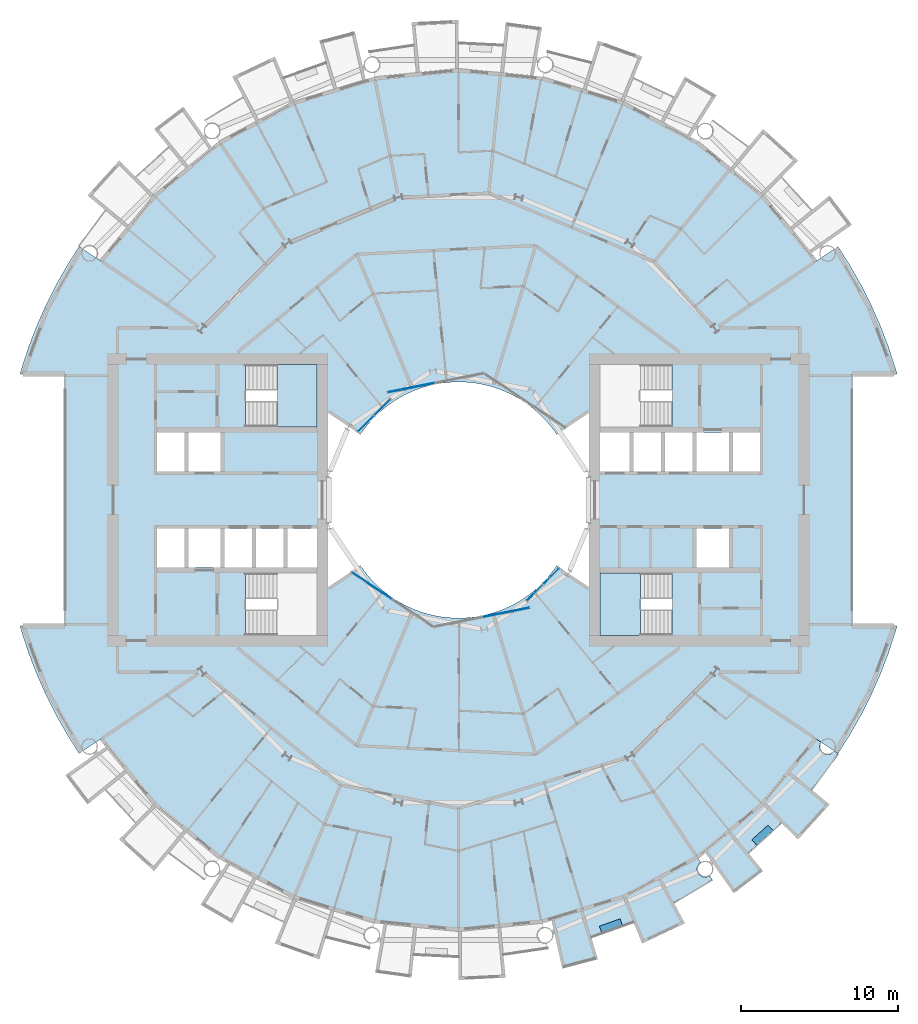
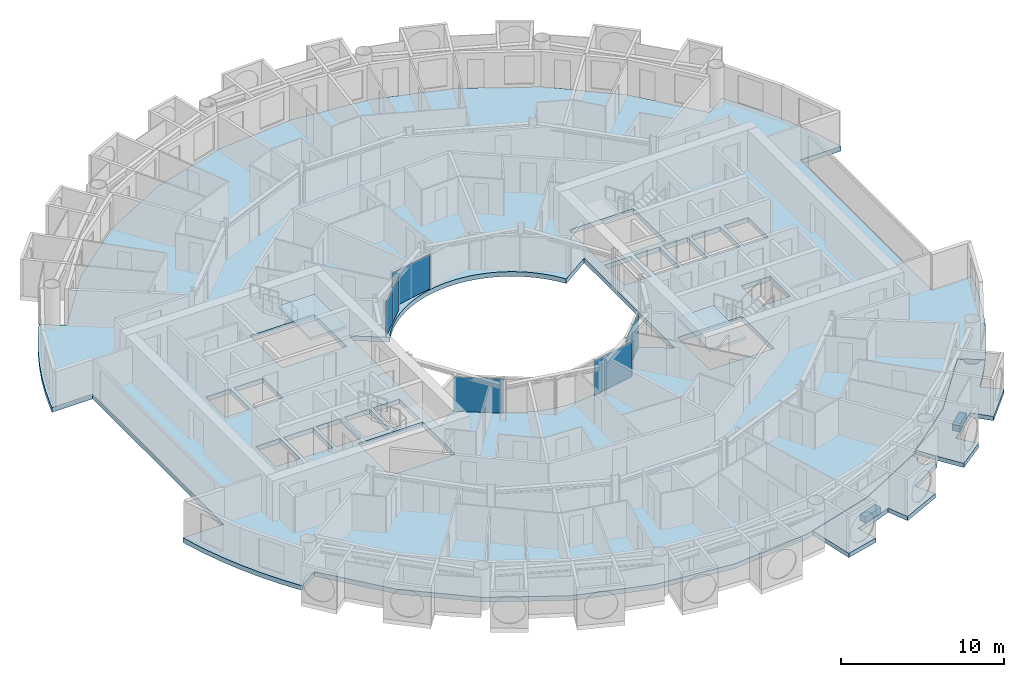
# One storey, part 10 of 26: 7 plates, 7 slabs, 7 elements without a shape of their own.
"""IFC4 building model written with IfcOpenShell, lengths in metres."""

from ifc_helpers import new_model, si_unit, direction, frame, origin, origin_2d, place, context, subcontext, project, spatial, polyline, rectangle, outline, extrude, material, layer, layer_set, type_object, element, aggregate, save


model = new_model("IFC4")

# Units and contexts
model_context = context("Model", 3, precision=1e-05, world=origin(), true_north=direction((0.0, 1.0)))
body_context = subcontext(model_context, "Body", "Model", "MODEL_VIEW")
ifc_project = project(units=[si_unit("LENGTHUNIT", "METRE"), si_unit("AREAUNIT", "SQUARE_METRE"), si_unit("VOLUMEUNIT", "CUBIC_METRE"), si_unit("PLANEANGLEUNIT", "RADIAN"), si_unit("MASSUNIT", "GRAM", prefix="KILO")], contexts=[model_context])

# Site, building, storey
site_placement = place(None, origin())
site = spatial("IfcSite", under=ifc_project, at=site_placement, CompositionType="ELEMENT")
building_placement = place(site_placement, origin())
building = spatial("IfcBuilding", under=site, at=building_placement, Name="Maasbend Ring Residences", CompositionType="ELEMENT")
storey_placement = place(building_placement, frame((0.0, 0.0, 72.75)))
storey = spatial("IfcBuildingStorey", under=building, at=storey_placement, Name="L20", CompositionType="ELEMENT", Elevation=72.75)

# Stair, slab
ifc_material_1 = material(Name="Concrete C40/50", Category="concrete")
stair_type = type_object("IfcStairType", Name="CORE STAIR 18 RISERS", PredefinedType="HALF_TURN_STAIR", material=ifc_material_1)
stair_1_placement = place(storey_placement, origin())
stair_1 = element("IfcStair", 1, at=stair_1_placement, inside=storey, type_object=stair_type, Name="L20 Exit stair ST-E2", PredefinedType="HALF_TURN_STAIR")
ifc_material_2 = material(Name="Concrete C40/50", Category="concrete")
ifc_layer_1 = layer(ifc_material_2, 0.199951171875)
ifc_layer_set_1 = layer_set([ifc_layer_1], Name="Concrete C40/50")
slab_type_1 = type_object("IfcSlabType", Name="CORE STAIR LANDING 200", PredefinedType="LANDING", material=ifc_layer_set_1)
slab_1_placement = place(storey_placement, frame((0.0, 0.0, 1.324951171875)))
slab_1 = element("IfcSlab", 2, at=slab_1_placement, type_object=slab_type_1, Name="ST-E2 landing 1", PredefinedType="LANDING", context=body_context, shape_type="SweptSolid", body=[
    extrude(outline(polyline([(11.550048828125, -4.64990234375), (9.0, -4.64990234375), (9.0, -8.60009765625), (11.550048828125, -8.60009765625), (11.550048828125, -4.64990234375)])), origin(), (0.0, 0.0, 1.0), 0.199951171875),
])
aggregate(stair_1, [slab_1])

stair_2_placement = place(storey_placement, origin())
stair_2 = element("IfcStair", 3, at=stair_2_placement, inside=storey, type_object=stair_type, Name="L20 Exit stair ST-W2", PredefinedType="HALF_TURN_STAIR")
slab_2_placement = place(storey_placement, frame((0.0, 0.0, 1.324951171875)))
slab_2 = element("IfcSlab", 4, at=slab_2_placement, type_object=slab_type_1, Name="ST-W2 landing 1", PredefinedType="LANDING", context=body_context, shape_type="SweptSolid", body=[
    extrude(outline(polyline([(-11.550048828125, 4.64990234375), (-9.0, 4.64990234375), (-9.0, 8.60009765625), (-11.550048828125, 8.60009765625), (-11.550048828125, 4.64990234375)])), origin(), (0.0, 0.0, 1.0), 0.199951171875),
])
aggregate(stair_2, [slab_2])

# Curtain wall, plate
ifc_material_3 = material(Name="Aluminium and clear glass", Category="aluminium")
ifc_layer_2 = layer(ifc_material_3, 0.179931640625)
ifc_layer_set_2 = layer_set([ifc_layer_2], Name="CW-W")
curtain_wall_type = type_object("IfcCurtainWallType", Name="CW-W", PredefinedType="NOTDEFINED", material=ifc_layer_set_2)
curtain_wall_1_placement = place(storey_placement, origin())
curtain_wall_1 = element("IfcCurtainWall", 5, at=curtain_wall_1_placement, inside=storey, type_object=curtain_wall_type, Name="Well curtain wall N2", PredefinedType="NOTDEFINED")
ifc_material_4 = material(Name="Glass clear laminated", Category="glass")
ifc_layer_3 = layer(ifc_material_4, 0.031982421875)
ifc_layer_set_3 = layer_set([ifc_layer_3], Name="CWP-W")
plate_type = type_object("IfcPlateType", Name="CWP-W", PredefinedType="CURTAIN_PANEL", material=ifc_layer_set_3)
plate_1_placement = place(storey_placement, frame((-3.0078125, 7.140380859375, 0.0), z_axis=(0.0, 0.0, 1.0), x_axis=(-0.980785280403, -0.195090322016, 0.0)))
plate_1 = element("IfcPlate", 6, at=plate_1_placement, type_object=plate_type, Name="Glass panel well face", PredefinedType="CURTAIN_PANEL", context=body_context, shape_type="SweptSolid", body=[
    extrude(rectangle(XDim=3.053955078125, YDim=0.031982421875, at=origin_2d()), origin(), (0.0, 0.0, 1.0), 2.580078125),
])
aggregate(curtain_wall_1, [plate_1])

# Curtain wall, plates
curtain_wall_2_placement = place(storey_placement, origin())
curtain_wall_2 = element("IfcCurtainWall", 7, at=curtain_wall_2_placement, inside=storey, type_object=curtain_wall_type, Name="Well curtain wall N3", PredefinedType="NOTDEFINED")
plate_2_placement = place(storey_placement, frame((-4.84375, 5.89013671875, 0.0), z_axis=(0.0, 0.0, 1.0), x_axis=(-0.707106781187, -0.707106781187, 0.0)))
plate_2 = element("IfcPlate", 8, at=plate_2_placement, type_object=plate_type, Name="Glass panel well face", PredefinedType="CURTAIN_PANEL", context=body_context, shape_type="SweptSolid", body=[
    extrude(rectangle(XDim=1.419677734375, YDim=0.031982421875, at=origin_2d()), origin(), (0.0, 0.0, 1.0), 2.580078125),
])
plate_3_placement = place(storey_placement, frame((-5.89013671875, 4.84375, 0.0), z_axis=(0.0, 0.0, 1.0), x_axis=(-0.707106781187, -0.707106781187, 0.0)))
plate_3 = element("IfcPlate", 9, at=plate_3_placement, type_object=plate_type, Name="Glass panel well face", PredefinedType="CURTAIN_PANEL", context=body_context, shape_type="SweptSolid", body=[
    extrude(rectangle(XDim=1.419677734375, YDim=0.031982421875, at=origin_2d()), origin(), (0.0, 0.0, 1.0), 2.580078125),
])
aggregate(curtain_wall_2, [plate_2, plate_3])

# Curtain wall, plate
curtain_wall_3_placement = place(storey_placement, origin())
curtain_wall_3 = element("IfcCurtainWall", 10, at=curtain_wall_3_placement, inside=storey, type_object=curtain_wall_type, Name="Well curtain wall S1", PredefinedType="NOTDEFINED")
plate_4_placement = place(storey_placement, frame((-5.51123046875, -5.44580078125, 0.0), z_axis=(0.0, 0.0, 1.0), x_axis=(0.831469612303, -0.55557023302, 0.0)))
plate_4 = element("IfcPlate", 11, at=plate_4_placement, type_object=plate_type, Name="Glass panel well face", PredefinedType="CURTAIN_PANEL", context=body_context, shape_type="SweptSolid", body=[
    extrude(rectangle(XDim=3.053955078125, YDim=0.031982421875, at=origin_2d()), origin(), (0.0, 0.0, 1.0), 2.580078125),
])
aggregate(curtain_wall_3, [plate_4])

curtain_wall_4_placement = place(storey_placement, origin())
curtain_wall_4 = element("IfcCurtainWall", 12, at=curtain_wall_4_placement, inside=storey, type_object=curtain_wall_type, Name="Well curtain wall S2", PredefinedType="NOTDEFINED")
plate_5_placement = place(storey_placement, frame((3.0078125, -7.140380859375, 0.0), z_axis=(0.0, 0.0, 1.0), x_axis=(0.980785280403, 0.195090322016, 0.0)))
plate_5 = element("IfcPlate", 13, at=plate_5_placement, type_object=plate_type, Name="Glass panel well face", PredefinedType="CURTAIN_PANEL", context=body_context, shape_type="SweptSolid", body=[
    extrude(rectangle(XDim=3.053955078125, YDim=0.031982421875, at=origin_2d()), origin(), (0.0, 0.0, 1.0), 2.580078125),
])
aggregate(curtain_wall_4, [plate_5])

# Curtain wall, plates
curtain_wall_5_placement = place(storey_placement, origin())
curtain_wall_5 = element("IfcCurtainWall", 14, at=curtain_wall_5_placement, inside=storey, type_object=curtain_wall_type, Name="Well curtain wall S3", PredefinedType="NOTDEFINED")
plate_6_placement = place(storey_placement, frame((4.84375, -5.89013671875, 0.0), z_axis=(0.0, 0.0, 1.0), x_axis=(0.707106781187, 0.707106781187, 0.0)))
plate_6 = element("IfcPlate", 15, at=plate_6_placement, type_object=plate_type, Name="Glass panel well face", PredefinedType="CURTAIN_PANEL", context=body_context, shape_type="SweptSolid", body=[
    extrude(rectangle(XDim=1.419677734375, YDim=0.031982421875, at=origin_2d()), origin(), (0.0, 0.0, 1.0), 2.580078125),
])
plate_7_placement = place(storey_placement, frame((5.89013671875, -4.84375, 0.0), z_axis=(0.0, 0.0, 1.0), x_axis=(0.707106781187, 0.707106781187, 0.0)))
plate_7 = element("IfcPlate", 16, at=plate_7_placement, type_object=plate_type, Name="Glass panel well face", PredefinedType="CURTAIN_PANEL", context=body_context, shape_type="SweptSolid", body=[
    extrude(rectangle(XDim=1.419677734375, YDim=0.031982421875, at=origin_2d()), origin(), (0.0, 0.0, 1.0), 2.580078125),
])
aggregate(curtain_wall_5, [plate_6, plate_7])

# Slabs
ifc_material_5 = material(Name="Planting with climbing greenery")
ifc_layer_4 = layer(ifc_material_5, 0.449951171875)
ifc_layer_set_4 = layer_set([ifc_layer_4], Name="PLANTER-LG")
slab_type_2 = type_object("IfcSlabType", Name="PLANTER-LG", PredefinedType="USERDEFINED", material=ifc_layer_set_4)
slab_3_placement = place(storey_placement, frame((0.0, 0.0, -0.030029296875)))
element("IfcSlab", 17, at=slab_3_placement, inside=storey, type_object=slab_type_2, Name="Planter with climbing greenery 4", ObjectType="PLANTER", PredefinedType="USERDEFINED", context=body_context, shape_type="SweptSolid", body=[
    extrude(outline(polyline([(9.09912109375, -27.508056640625), (10.4169921875, -27.035888671875), (10.26611328125, -26.612060546875), (8.947021484375, -27.083984375), (9.09912109375, -27.508056640625)])), origin(), (0.0, 0.0, 1.0), 0.449951171875),
])
slab_4_placement = place(storey_placement, frame((0.0, 0.0, -0.030029296875)))
element("IfcSlab", 18, at=slab_4_placement, inside=storey, type_object=slab_type_2, Name="Planter with climbing greenery 5", ObjectType="PLANTER", PredefinedType="USERDEFINED", context=body_context, shape_type="SweptSolid", body=[
    extrude(outline(polyline([(18.93310546875, -21.931884765625), (19.969970703125, -20.991943359375), (19.66796875, -20.657958984375), (18.631103515625, -21.597900390625), (18.93310546875, -21.931884765625)])), origin(), (0.0, 0.0, 1.0), 0.449951171875),
])
ifc_material_6 = material(Name="Concrete C40/50", Category="concrete")
ifc_layer_5 = layer(ifc_material_6, 0.35009765625)
ifc_layer_set_5 = layer_set([ifc_layer_5], Name="Concrete C40/50")
slab_type_3 = type_object("IfcSlabType", Name="Post-tensioned flat plate 350", PredefinedType="FLOOR", material=ifc_layer_set_5)
slab_5_placement = place(storey_placement, frame((0.0, 0.0, -0.35009765625)))
element("IfcSlab", 19, at=slab_5_placement, inside=storey, type_object=slab_type_3, Name="Floor slab L20", PredefinedType="FLOOR", context=body_context, shape_type="SweptSolid", body=[
    extrude(outline(polyline([(24.8740234375, -14.908935546875), (25.57568359375, -13.67041015625), (26.2158203125, -12.399169921875), (26.79248046875, -11.097900390625), (27.3046875, -9.769775390625), (27.751220703125, -8.418212890625), (27.866943359375, -8.0), (25.0, -8.0), (25.0, 8.0), (27.866943359375, 8.0), (27.751220703125, 8.418212890625), (27.3046875, 9.769775390625), (26.79248046875, 11.097900390625), (26.2158203125, 12.399169921875), (25.57568359375, 13.67041015625), (24.8740234375, 14.908935546875), (24.112548828125, 16.111572265625), (22.69921875, 15.1669921875), (19.303955078125, 19.303955078125), (15.1669921875, 22.69921875), (10.447265625, 25.221923828125), (5.325927734375, 26.775390625), (0.0, 27.300048828125), (-5.325927734375, 26.775390625), (-10.447265625, 25.221923828125), (-15.1669921875, 22.69921875), (-19.303955078125, 19.303955078125), (-22.69921875, 15.1669921875), (-24.112548828125, 16.111572265625), (-24.8740234375, 14.908935546875), (-25.57568359375, 13.67041015625), (-26.2158203125, 12.399169921875), (-26.79248046875, 11.097900390625), (-27.3046875, 9.769775390625), (-27.751220703125, 8.418212890625), (-27.866943359375, 8.0), (-25.0, 8.0), (-25.0, -8.0), (-27.866943359375, -8.0), (-27.751220703125, -8.418212890625), (-27.3046875, -9.769775390625), (-26.79248046875, -11.097900390625), (-26.2158203125, -12.399169921875), (-25.57568359375, -13.67041015625), (-24.8740234375, -14.908935546875), (-24.112548828125, -16.111572265625), (-22.69921875, -15.1669921875), (-19.303955078125, -19.303955078125), (-15.1669921875, -22.69921875), (-10.447265625, -25.221923828125), (-5.325927734375, -26.775390625), (0.0, -27.300048828125), (5.325927734375, -26.775390625), (10.447265625, -25.221923828125), (15.1669921875, -22.69921875), (19.303955078125, -19.303955078125), (22.69921875, -15.1669921875), (24.112548828125, -16.111572265625), (24.8740234375, -14.908935546875)]), holes=[polyline([(17.425048828125, 4.27490234375), (19.14990234375, 4.27490234375), (19.14990234375, 1.824951171875), (17.425048828125, 1.824951171875), (17.425048828125, 4.27490234375)]), polyline([(15.125, 1.824951171875), (15.125, 4.27490234375), (17.175048828125, 4.27490234375), (17.175048828125, 1.824951171875), (15.125, 1.824951171875)]), polyline([(15.125, -4.27490234375), (15.125, -1.824951171875), (17.175048828125, -1.824951171875), (17.175048828125, -4.27490234375), (15.125, -4.27490234375)]), polyline([(13.125, 1.824951171875), (13.125, 4.27490234375), (14.875, 4.27490234375), (14.875, 1.824951171875), (13.125, 1.824951171875)]), polyline([(13.550048828125, 4.64990234375), (9.0, 4.64990234375), (9.0, 8.60009765625), (13.550048828125, 8.60009765625), (13.550048828125, 4.64990234375)]), polyline([(13.550048828125, -4.64990234375), (13.550048828125, -8.60009765625), (9.0, -8.60009765625), (9.0, -4.64990234375), (13.550048828125, -4.64990234375)]), polyline([(11.125, 1.824951171875), (11.125, 4.27490234375), (12.875, 4.27490234375), (12.875, 1.824951171875), (11.125, 1.824951171875)]), polyline([(9.0, 1.824951171875), (9.0, 4.27490234375), (10.875, 4.27490234375), (10.875, 1.824951171875), (9.0, 1.824951171875)]), polyline([(6.024169921875, 4.4677734375), (6.236083984375, 4.166748046875), (8.300048828125, 5.5458984375), (8.300048828125, -5.5458984375), (6.236083984375, -4.166748046875), (6.024169921875, -4.4677734375), (5.797607421875, -4.7578125), (5.55712890625, -5.03662109375), (5.30322265625, -5.30322265625), (5.03662109375, -5.55712890625), (4.7578125, -5.797607421875), (4.4677734375, -6.024169921875), (4.166748046875, -6.236083984375), (3.855712890625, -6.43310546875), (3.535400390625, -6.614501953125), (3.206787109375, -6.77978515625), (2.8701171875, -6.92919921875), (2.526611328125, -7.0615234375), (2.177001953125, -7.177001953125), (1.822509765625, -7.275146484375), (1.463134765625, -7.35595703125), (1.1005859375, -7.418701171875), (0.735107421875, -7.4638671875), (0.367919921875, -7.490966796875), (0.0, -7.5), (-0.367919921875, -7.490966796875), (-0.735107421875, -7.4638671875), (-1.1005859375, -7.418701171875), (-1.463134765625, -7.35595703125), (-1.822509765625, -7.275146484375), (-2.177001953125, -7.177001953125), (-2.526611328125, -7.0615234375), (-2.8701171875, -6.92919921875), (-3.206787109375, -6.77978515625), (-3.535400390625, -6.614501953125), (-3.855712890625, -6.43310546875), (-4.166748046875, -6.236083984375), (-4.4677734375, -6.024169921875), (-4.7578125, -5.797607421875), (-5.03662109375, -5.55712890625), (-5.30322265625, -5.30322265625), (-5.55712890625, -5.03662109375), (-5.797607421875, -4.7578125), (-6.024169921875, -4.4677734375), (-6.236083984375, -4.166748046875), (-8.300048828125, -5.5458984375), (-8.300048828125, 5.5458984375), (-6.236083984375, 4.166748046875), (-6.236083984375, 4.166748046875), (-6.024169921875, 4.4677734375), (-5.797607421875, 4.7578125), (-5.55712890625, 5.03662109375), (-5.30322265625, 5.30322265625), (-5.03662109375, 5.55712890625), (-4.7578125, 5.797607421875), (-4.4677734375, 6.024169921875), (-4.166748046875, 6.236083984375), (-3.855712890625, 6.43310546875), (-3.535400390625, 6.614501953125), (-3.206787109375, 6.77978515625), (-2.8701171875, 6.92919921875), (-2.526611328125, 7.0615234375), (-2.177001953125, 7.177001953125), (-1.822509765625, 7.275146484375), (-1.463134765625, 7.35595703125), (-1.1005859375, 7.418701171875), (-0.735107421875, 7.4638671875), (-0.367919921875, 7.490966796875), (0.0, 7.5), (0.367919921875, 7.490966796875), (0.735107421875, 7.4638671875), (1.1005859375, 7.418701171875), (1.463134765625, 7.35595703125), (1.822509765625, 7.275146484375), (2.177001953125, 7.177001953125), (2.526611328125, 7.0615234375), (2.8701171875, 6.92919921875), (3.206787109375, 6.77978515625), (3.535400390625, 6.614501953125), (3.855712890625, 6.43310546875), (4.166748046875, 6.236083984375), (4.4677734375, 6.024169921875), (4.7578125, 5.797607421875), (5.03662109375, 5.55712890625), (5.30322265625, 5.30322265625), (5.55712890625, 5.03662109375), (5.797607421875, 4.7578125), (6.024169921875, 4.4677734375)]), polyline([(-13.550048828125, 4.64990234375), (-13.550048828125, 8.60009765625), (-9.0, 8.60009765625), (-9.0, 4.64990234375), (-13.550048828125, 4.64990234375)]), polyline([(-13.550048828125, -8.60009765625), (-13.550048828125, -4.64990234375), (-9.0, -4.64990234375), (-9.0, -8.60009765625), (-13.550048828125, -8.60009765625)]), polyline([(-9.0, -1.824951171875), (-9.0, -4.27490234375), (-10.875, -4.27490234375), (-10.875, -1.824951171875), (-9.0, -1.824951171875)]), polyline([(-11.125, -1.824951171875), (-11.125, -4.27490234375), (-12.875, -4.27490234375), (-12.875, -1.824951171875), (-11.125, -1.824951171875)]), polyline([(-13.125, -1.824951171875), (-13.125, -4.27490234375), (-14.875, -4.27490234375), (-14.875, -1.824951171875), (-13.125, -1.824951171875)]), polyline([(-15.125, 4.27490234375), (-15.125, 1.824951171875), (-17.175048828125, 1.824951171875), (-17.175048828125, 4.27490234375), (-15.125, 4.27490234375)]), polyline([(-15.125, -1.824951171875), (-15.125, -4.27490234375), (-17.175048828125, -4.27490234375), (-17.175048828125, -1.824951171875), (-15.125, -1.824951171875)]), polyline([(-17.425048828125, -1.824951171875), (-17.425048828125, -4.27490234375), (-19.14990234375, -4.27490234375), (-19.14990234375, -1.824951171875), (-17.425048828125, -1.824951171875)]), polyline([(-17.425048828125, 4.27490234375), (-17.425048828125, 1.824951171875), (-19.14990234375, 1.824951171875), (-19.14990234375, 4.27490234375), (-17.425048828125, 4.27490234375)])]), origin(), (0.0, 0.0, 1.0), 0.35009765625),
])
ifc_material_7 = material(Name="Concrete C40/50", Category="concrete")
ifc_layer_6 = layer(ifc_material_7, 0.199951171875)
ifc_layer_set_6 = layer_set([ifc_layer_6], Name="Concrete C40/50")
slab_type_4 = type_object("IfcSlabType", Name="SL-LOGGIA", PredefinedType="FLOOR", material=ifc_layer_set_6)
slab_6_placement = place(storey_placement, frame((0.0, 0.0, -0.35009765625)))
element("IfcSlab", 20, at=slab_6_placement, inside=storey, type_object=slab_type_4, Name="Loggia floor 1", PredefinedType="FLOOR", context=body_context, shape_type="SweptSolid", body=[
    extrude(outline(polyline([(10.447021484375, -25.221923828125), (12.806884765625, -23.9609375), (15.1669921875, -22.698974609375), (15.1669921875, -22.698974609375), (15.1669921875, -22.698974609375), (15.385009765625, -23.02490234375), (15.375, -23.031982421875), (15.364013671875, -23.0390625), (15.35498046875, -23.047119140625), (15.344970703125, -23.054931640625), (15.3349609375, -23.06298828125), (15.325927734375, -23.071044921875), (15.31689453125, -23.0791015625), (15.30810546875, -23.087890625), (15.299072265625, -23.096923828125), (15.291015625, -23.10595703125), (15.281982421875, -23.115966796875), (15.27392578125, -23.125), (15.26708984375, -23.135009765625), (15.259033203125, -23.14501953125), (15.251953125, -23.155029296875), (15.2451171875, -23.1650390625), (15.238037109375, -23.176025390625), (15.23095703125, -23.18603515625), (15.22509765625, -23.197021484375), (15.218994140625, -23.2080078125), (15.212890625, -23.218994140625), (15.2080078125, -23.22998046875), (15.202880859375, -23.241943359375), (15.197998046875, -23.2529296875), (15.193115234375, -23.264892578125), (15.18896484375, -23.27587890625), (15.18505859375, -23.2880859375), (15.180908203125, -23.300048828125), (15.177978515625, -23.31201171875), (15.174072265625, -23.323974609375), (15.1708984375, -23.3359375), (15.1689453125, -23.347900390625), (15.1669921875, -23.361083984375), (15.1650390625, -23.373046875), (15.1630859375, -23.385009765625), (15.162109375, -23.39794921875), (15.159912109375, -23.409912109375), (15.159912109375, -23.422119140625), (15.158935546875, -23.43505859375), (15.158935546875, -23.447021484375), (15.158935546875, -23.4599609375), (15.159912109375, -23.471923828125), (15.159912109375, -23.485107421875), (15.162109375, -23.4970703125), (15.1630859375, -23.510009765625), (15.1650390625, -23.52197265625), (15.1669921875, -23.533935546875), (15.1689453125, -23.547119140625), (15.1708984375, -23.55908203125), (15.174072265625, -23.571044921875), (15.177978515625, -23.5830078125), (15.180908203125, -23.594970703125), (15.18505859375, -23.60693359375), (15.18896484375, -23.618896484375), (15.193115234375, -23.6298828125), (15.197998046875, -23.64208984375), (15.202880859375, -23.653076171875), (15.2080078125, -23.6650390625), (15.212890625, -23.676025390625), (15.218994140625, -23.68701171875), (15.22509765625, -23.697998046875), (15.23095703125, -23.708984375), (15.238037109375, -23.718994140625), (15.2451171875, -23.72998046875), (15.251953125, -23.739990234375), (15.259033203125, -23.75), (15.26708984375, -23.760009765625), (15.27392578125, -23.77001953125), (15.281982421875, -23.779052734375), (15.291015625, -23.7890625), (15.299072265625, -23.798095703125), (15.30810546875, -23.806884765625), (15.31689453125, -23.81494140625), (15.325927734375, -23.823974609375), (15.3349609375, -23.83203125), (15.344970703125, -23.840087890625), (15.35498046875, -23.847900390625), (15.364013671875, -23.85498046875), (15.375, -23.863037109375), (15.385009765625, -23.8701171875), (15.39501953125, -23.876953125), (15.406005859375, -23.883056640625), (15.4169921875, -23.888916015625), (15.427978515625, -23.89501953125), (15.43896484375, -23.90087890625), (15.449951171875, -23.906982421875), (15.4609375, -23.912109375), (15.472900390625, -23.9169921875), (15.48388671875, -23.9208984375), (15.49609375, -23.926025390625), (15.508056640625, -23.929931640625), (15.52001953125, -23.93408203125), (15.531982421875, -23.93701171875), (15.5439453125, -23.93994140625), (15.555908203125, -23.943115234375), (15.568115234375, -23.946044921875), (15.580078125, -23.947998046875), (15.593017578125, -23.949951171875), (15.60498046875, -23.951904296875), (15.616943359375, -23.952880859375), (15.6298828125, -23.9541015625), (15.64208984375, -23.955078125), (15.655029296875, -23.955078125), (15.6669921875, -23.955078125), (15.679931640625, -23.955078125), (15.69189453125, -23.955078125), (15.7041015625, -23.9541015625), (15.717041015625, -23.952880859375), (15.72900390625, -23.951904296875), (15.741943359375, -23.949951171875), (15.75390625, -23.947998046875), (15.76611328125, -23.946044921875), (15.778076171875, -23.943115234375), (15.791015625, -23.93994140625), (15.802978515625, -23.93701171875), (15.81494140625, -23.93408203125), (15.825927734375, -23.929931640625), (15.837890625, -23.926025390625), (15.85009765625, -23.9208984375), (15.862060546875, -23.9169921875), (15.873046875, -23.912109375), (15.884033203125, -23.906982421875), (15.89599609375, -23.90087890625), (15.906982421875, -23.89501953125), (15.9169921875, -23.888916015625), (15.927978515625, -23.883056640625), (15.93896484375, -23.876953125), (15.948974609375, -23.8701171875), (16.112060546875, -24.113037109375), (16.112060546875, -24.113037109375), (16.112060546875, -24.113037109375), (15.31396484375, -24.626953125), (15.31396484375, -24.626953125), (14.5, -25.114990234375), (14.5, -25.114990234375), (13.6708984375, -25.574951171875), (13.6708984375, -25.575927734375), (13.6708984375, -25.575927734375), (13.6708984375, -25.575927734375), (13.6708984375, -25.575927734375), (13.6708984375, -25.575927734375), (13.6708984375, -25.575927734375), (13.6708984375, -25.575927734375), (13.6708984375, -25.575927734375), (13.6708984375, -25.575927734375), (13.6708984375, -25.575927734375), (13.6708984375, -25.575927734375), (13.6708984375, -25.575927734375), (13.6708984375, -25.575927734375), (13.6708984375, -25.575927734375), (13.6708984375, -25.575927734375), (13.6708984375, -25.575927734375), (14.3779296875, -26.89892578125), (14.3779296875, -26.89892578125), (14.3779296875, -26.89892578125), (11.672119140625, -28.177978515625), (11.672119140625, -28.177978515625), (11.672119140625, -28.177978515625), (11.097900390625, -26.79296875), (11.097900390625, -26.79296875), (11.097900390625, -26.79296875), (11.097900390625, -26.79296875), (11.097900390625, -26.79296875), (11.097900390625, -26.79296875), (11.097900390625, -26.79296875), (11.097900390625, -26.79296875), (11.097900390625, -26.79296875), (11.097900390625, -26.79296875), (11.097900390625, -26.79296875), (11.097900390625, -26.79296875), (11.097900390625, -26.79296875), (11.097900390625, -26.79296875), (11.096923828125, -26.79296875), (11.096923828125, -26.79296875), (11.096923828125, -26.79296875), (10.215087890625, -27.14111328125), (10.215087890625, -27.14111328125), (9.322021484375, -27.4609375), (9.322021484375, -27.4609375), (8.4189453125, -27.7509765625), (8.4189453125, -27.7509765625), (8.4189453125, -27.7509765625), (8.4189453125, -27.7509765625), (8.4189453125, -27.7509765625), (8.4189453125, -27.7509765625), (8.41796875, -27.7509765625), (8.41796875, -27.7509765625), (8.41796875, -27.7509765625), (8.41796875, -27.7509765625), (8.41796875, -27.7509765625), (8.41796875, -27.751953125), (8.41796875, -27.751953125), (8.41796875, -27.751953125), (8.41796875, -27.751953125), (8.41796875, -27.751953125), (8.41796875, -27.751953125), (8.85400390625, -29.18701171875), (8.85400390625, -29.18701171875), (8.85400390625, -29.18701171875), (6.593994140625, -29.779052734375), (6.593994140625, -29.779052734375), (6.593994140625, -29.779052734375), (5.89111328125, -26.60400390625), (5.89111328125, -26.60400390625), (5.89111328125, -26.60400390625), (7.886962890625, -25.9990234375), (10.447021484375, -25.221923828125), (10.447021484375, -25.221923828125), (10.447021484375, -25.221923828125)])), origin(), (0.0, 0.0, 1.0), 0.320068359375),
])
slab_7_placement = place(storey_placement, frame((0.0, 0.0, -0.35009765625)))
element("IfcSlab", 21, at=slab_7_placement, inside=storey, type_object=slab_type_4, Name="Loggia floor 4", PredefinedType="FLOOR", context=body_context, shape_type="SweptSolid", body=[
    extrude(outline(polyline([(19.303955078125, -19.303955078125), (21.001953125, -17.236083984375), (22.698974609375, -15.1669921875), (22.698974609375, -15.1669921875), (22.698974609375, -15.1669921875), (23.02490234375, -15.385009765625), (23.02490234375, -15.385009765625), (23.01806640625, -15.39501953125), (23.011962890625, -15.406005859375), (23.0048828125, -15.4169921875), (22.9990234375, -15.427978515625), (22.993896484375, -15.43896484375), (22.988037109375, -15.449951171875), (22.98291015625, -15.4609375), (22.97802734375, -15.472900390625), (22.972900390625, -15.48388671875), (22.968994140625, -15.49609375), (22.965087890625, -15.508056640625), (22.9609375, -15.52001953125), (22.9580078125, -15.531982421875), (22.955078125, -15.5439453125), (22.951904296875, -15.555908203125), (22.948974609375, -15.568115234375), (22.947021484375, -15.580078125), (22.945068359375, -15.593017578125), (22.943115234375, -15.60498046875), (22.94189453125, -15.616943359375), (22.94091796875, -15.6298828125), (22.93994140625, -15.64208984375), (22.93994140625, -15.655029296875), (22.93896484375, -15.6669921875), (22.93994140625, -15.679931640625), (22.93994140625, -15.69189453125), (22.94091796875, -15.7041015625), (22.94189453125, -15.717041015625), (22.943115234375, -15.72900390625), (22.945068359375, -15.741943359375), (22.947021484375, -15.75390625), (22.948974609375, -15.76611328125), (22.951904296875, -15.778076171875), (22.955078125, -15.791015625), (22.9580078125, -15.802978515625), (22.9609375, -15.81494140625), (22.965087890625, -15.825927734375), (22.968994140625, -15.837890625), (22.972900390625, -15.85009765625), (22.97802734375, -15.862060546875), (22.98291015625, -15.873046875), (22.988037109375, -15.884033203125), (22.993896484375, -15.89599609375), (22.9990234375, -15.906982421875), (23.0048828125, -15.9169921875), (23.011962890625, -15.927978515625), (23.01806640625, -15.93896484375), (23.02490234375, -15.948974609375), (23.031982421875, -15.9599609375), (23.0390625, -15.969970703125), (23.047119140625, -15.97998046875), (23.054931640625, -15.989013671875), (23.06298828125, -15.9990234375), (23.071044921875, -16.008056640625), (23.0791015625, -16.01708984375), (23.087890625, -16.02587890625), (23.096923828125, -16.034912109375), (23.10595703125, -16.0439453125), (23.115966796875, -16.052001953125), (23.125, -16.06005859375), (23.135009765625, -16.068115234375), (23.14501953125, -16.074951171875), (23.155029296875, -16.08203125), (23.1650390625, -16.089111328125), (23.176025390625, -16.095947265625), (23.18603515625, -16.10302734375), (23.197021484375, -16.10888671875), (23.2080078125, -16.114990234375), (23.218994140625, -16.12109375), (23.22998046875, -16.1259765625), (23.241943359375, -16.132080078125), (23.2529296875, -16.135986328125), (23.264892578125, -16.14111328125), (23.27587890625, -16.14501953125), (23.2880859375, -16.14892578125), (23.300048828125, -16.153076171875), (23.31201171875, -16.156982421875), (23.323974609375, -16.159912109375), (23.3359375, -16.1630859375), (23.347900390625, -16.1650390625), (23.361083984375, -16.16796875), (23.373046875, -16.169921875), (23.385009765625, -16.1708984375), (23.39794921875, -16.173095703125), (23.409912109375, -16.174072265625), (23.422119140625, -16.174072265625), (23.43505859375, -16.175048828125), (23.447021484375, -16.175048828125), (23.4599609375, -16.175048828125), (23.471923828125, -16.174072265625), (23.485107421875, -16.174072265625), (23.4970703125, -16.173095703125), (23.510009765625, -16.1708984375), (23.52197265625, -16.169921875), (23.533935546875, -16.16796875), (23.547119140625, -16.1650390625), (23.55908203125, -16.1630859375), (23.571044921875, -16.159912109375), (23.5830078125, -16.156982421875), (23.594970703125, -16.153076171875), (23.60693359375, -16.14892578125), (23.618896484375, -16.14501953125), (23.6298828125, -16.14111328125), (23.64208984375, -16.135986328125), (23.653076171875, -16.132080078125), (23.6650390625, -16.1259765625), (23.676025390625, -16.12109375), (23.68701171875, -16.114990234375), (23.697998046875, -16.10888671875), (23.708984375, -16.10302734375), (23.718994140625, -16.095947265625), (23.72998046875, -16.089111328125), (23.739990234375, -16.08203125), (23.75, -16.074951171875), (23.760009765625, -16.068115234375), (23.77001953125, -16.06005859375), (23.779052734375, -16.052001953125), (23.7890625, -16.0439453125), (23.798095703125, -16.034912109375), (23.806884765625, -16.02587890625), (23.81494140625, -16.01708984375), (23.823974609375, -16.008056640625), (23.83203125, -15.9990234375), (23.840087890625, -15.989013671875), (23.847900390625, -15.97998046875), (23.85498046875, -15.969970703125), (23.863037109375, -15.9599609375), (23.8701171875, -15.948974609375), (23.8701171875, -15.948974609375), (24.113037109375, -16.112060546875), (24.113037109375, -16.112060546875), (24.113037109375, -16.112060546875), (23.572998046875, -16.89208984375), (23.572998046875, -16.89208984375), (23.007080078125, -17.654052734375), (23.007080078125, -17.654052734375), (22.41796875, -18.39697265625), (22.41796875, -18.39697265625), (22.41796875, -18.39697265625), (22.41796875, -18.39697265625), (22.41796875, -18.39697265625), (22.41796875, -18.39697265625), (22.41796875, -18.39697265625), (22.41796875, -18.39697265625), (22.41796875, -18.39697265625), (22.41796875, -18.39697265625), (22.41796875, -18.39697265625), (22.41796875, -18.39794921875), (22.41796875, -18.39794921875), (22.41796875, -18.39794921875), (22.41796875, -18.39794921875), (22.41796875, -18.39794921875), (22.41796875, -18.39794921875), (23.576904296875, -19.34912109375), (23.576904296875, -19.34912109375), (23.576904296875, -19.34912109375), (21.56689453125, -21.56689453125), (21.56689453125, -21.56689453125), (21.56689453125, -21.56689453125), (20.506103515625, -20.506103515625), (20.506103515625, -20.506103515625), (20.506103515625, -20.506103515625), (20.506103515625, -20.506103515625), (20.506103515625, -20.506103515625), (20.506103515625, -20.506103515625), (20.506103515625, -20.506103515625), (20.506103515625, -20.506103515625), (20.506103515625, -20.506103515625), (20.506103515625, -20.506103515625), (20.506103515625, -20.506103515625), (20.506103515625, -20.506103515625), (20.506103515625, -20.506103515625), (20.506103515625, -20.506103515625), (20.506103515625, -20.506103515625), (20.506103515625, -20.506103515625), (20.506103515625, -20.506103515625), (19.823974609375, -21.166015625), (19.823974609375, -21.166015625), (19.12109375, -21.802978515625), (19.12109375, -21.802978515625), (18.39794921875, -22.4169921875), (18.39794921875, -22.4169921875), (18.39794921875, -22.4169921875), (18.39794921875, -22.4169921875), (18.39794921875, -22.4169921875), (18.39794921875, -22.4169921875), (18.39794921875, -22.4169921875), (18.39794921875, -22.4169921875), (18.39794921875, -22.4169921875), (18.39794921875, -22.4169921875), (18.39794921875, -22.4169921875), (18.39794921875, -22.4169921875), (18.39794921875, -22.41796875), (18.39794921875, -22.41796875), (18.39794921875, -22.41796875), (18.39794921875, -22.41796875), (18.39794921875, -22.41796875), (19.34912109375, -23.576904296875), (19.34912109375, -23.576904296875), (19.34912109375, -23.576904296875), (17.488037109375, -24.989013671875), (17.488037109375, -24.989013671875), (17.488037109375, -24.989013671875), (15.623046875, -22.324951171875), (15.623046875, -22.324951171875), (15.623046875, -22.324951171875), (17.236083984375, -21.001953125), (19.303955078125, -19.303955078125), (19.303955078125, -19.303955078125), (19.303955078125, -19.303955078125)])), origin(), (0.0, 0.0, 1.0), 0.320068359375),
])

save(model, "model.ifc")
